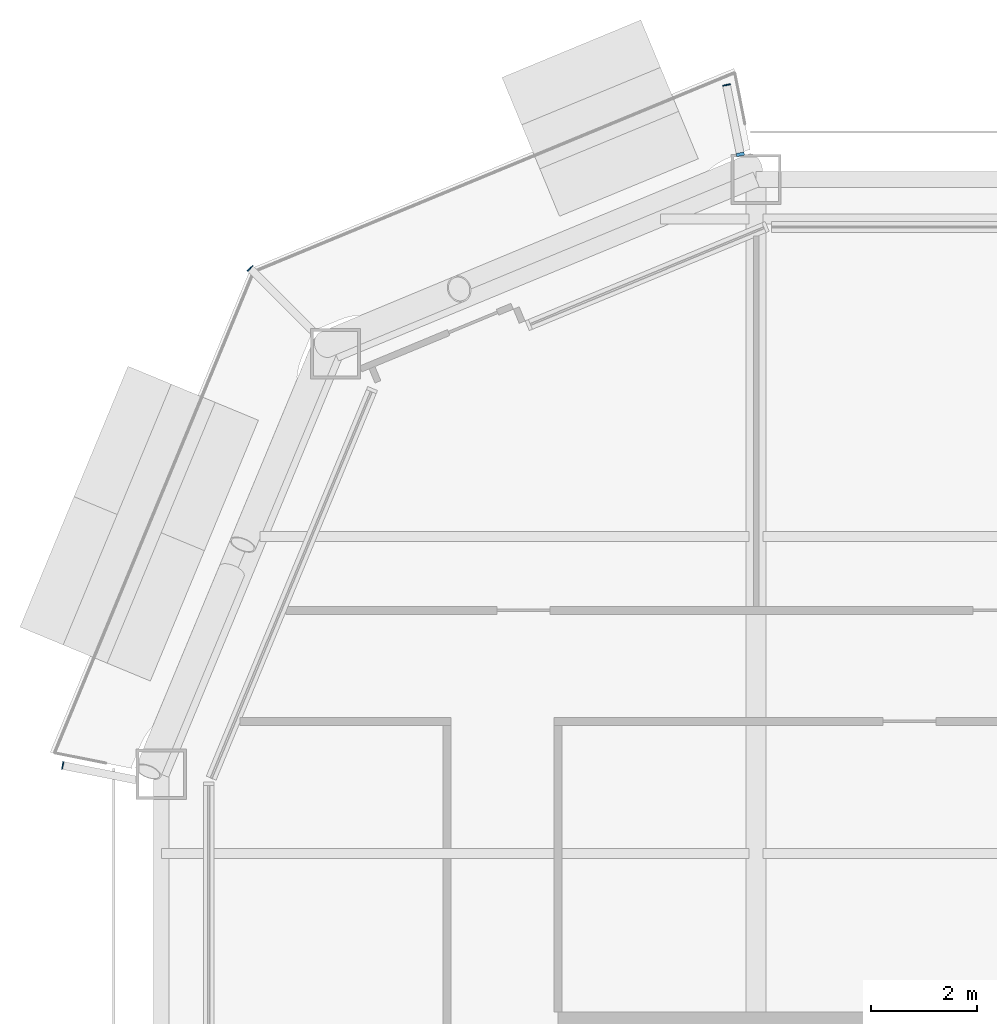
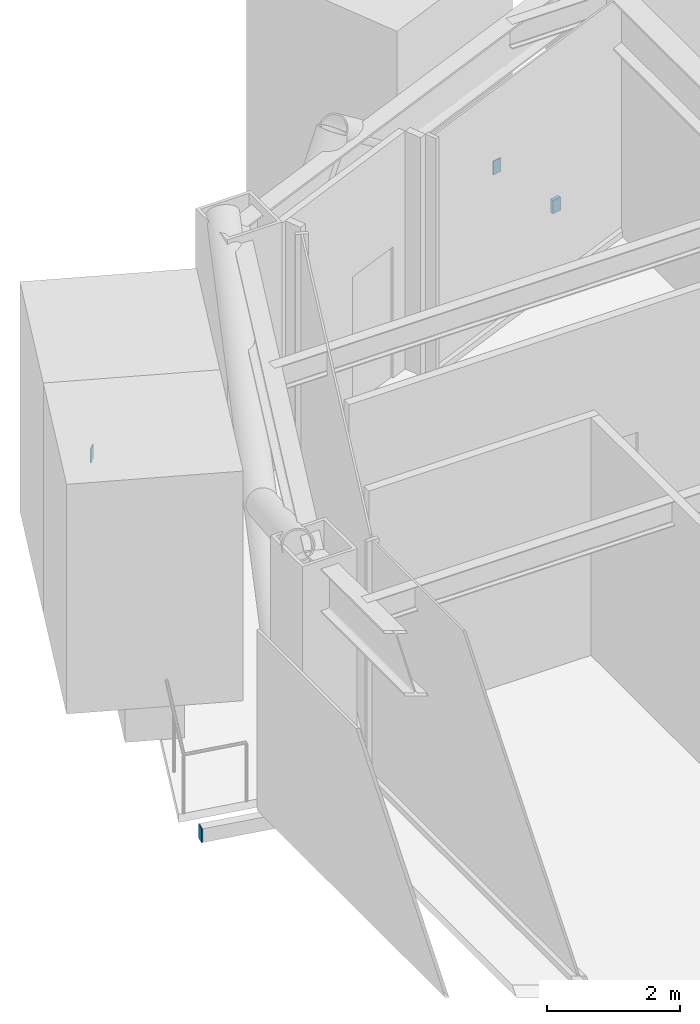
# One storey, part 16 of 23: 4 discrete accessories.
"""IFC4 building model written with IfcOpenShell, lengths in metres."""

import ifcopenshell
import ifcopenshell.guid

model = None  # the IFC model being written
_history = None  # IfcOwnerHistory: only IFC2X3 demands one
_inside = {}  # id of a spatial element -> (the spatial element, [elements in it])
_under = {}  # id of a project, library or spatial element -> (it, [spatial elements below it])
_declared = {}  # id of a project -> (the project, [libraries it declares])
_typed = {}  # id of a type object -> (the type object, [elements of that type])
_made_of = {}  # id of a material, layer set ... -> (it, [elements and type objects made of it])


def new_model(schema):
    """Start an empty IFC model of exactly this schema.

    Asked for "IFC4X3", IfcOpenShell would pick the latest addendum, in which some entities
    have other attributes; the version numbers below select the first issue.
    IFC2X3 requires an IfcOwnerHistory on every rooted entity: one is made here for all.
    """
    global model, _history
    if schema == "IFC4X3":
        model = ifcopenshell.file(schema_version=(4, 3, 0, 0))
    else:
        model = ifcopenshell.file(schema=schema)
    _inside.clear()
    _under.clear()
    _declared.clear()
    _typed.clear()
    _made_of.clear()
    _history = None
    if model.schema == "IFC2X3":
        org = make("IfcOrganization", Name="unknown")
        user = make(
            "IfcPersonAndOrganization",
            ThePerson=make("IfcPerson", FamilyName="unknown"),
            TheOrganization=org,
        )
        app = make(
            "IfcApplication",
            ApplicationDeveloper=org,
            Version="unknown",
            ApplicationFullName="unknown",
            ApplicationIdentifier="unknown",
        )
        _history = make(
            "IfcOwnerHistory",
            OwningUser=user,
            OwningApplication=app,
            ChangeAction="ADDED",
            CreationDate=0,
        )
    return model


def make(cls, **values):
    """One entity of the class cls with the attributes given. An attribute that is None is left unset."""
    return model.create_entity(
        cls, **{name: value for name, value in values.items() if value is not None}
    )


def rooted(cls, **values):
    """An entity with a GlobalId (a new one), such as an element, a storey or a relation."""
    return make(cls, GlobalId=ifcopenshell.guid.new(), OwnerHistory=_history, **values)


def si_unit(unit_type, name, prefix=None):
    """IfcSIUnit, for example si_unit("LENGTHUNIT", "METRE", prefix="MILLI")."""
    return make("IfcSIUnit", UnitType=unit_type, Prefix=prefix, Name=name)


def assignment(units):
    """IfcUnitAssignment: the units of a project."""
    return None if units is None else make("IfcUnitAssignment", Units=units)


def point(xyz):
    """IfcCartesianPoint."""
    return None if xyz is None else make("IfcCartesianPoint", Coordinates=xyz)


def direction(xyz):
    """IfcDirection."""
    return None if xyz is None else make("IfcDirection", DirectionRatios=xyz)


def frame(location, z_axis=None, x_axis=None):
    """IfcAxis2Placement3D, a coordinate frame: its origin and axes. An axis left out is left unset."""
    return make(
        "IfcAxis2Placement3D",
        Location=point(location),
        Axis=direction(z_axis),
        RefDirection=direction(x_axis),
    )


def frame_2d(location, x_axis=None):
    """IfcAxis2Placement2D, a coordinate frame in the plane: its origin and x axis."""
    return make(
        "IfcAxis2Placement2D", Location=point(location), RefDirection=direction(x_axis)
    )


def origin():
    """The frame at (0, 0, 0) with its axes left unset."""
    return frame((0.0, 0.0, 0.0))


def origin_2d():
    """The frame at (0, 0) in the plane with its x axis left unset."""
    return frame_2d((0.0, 0.0))


def place(relative_to, where):
    """IfcLocalPlacement: puts the frame where relative to a parent placement (None: the world)."""
    return make(
        "IfcLocalPlacement", PlacementRelTo=relative_to, RelativePlacement=where
    )


def context(
    kind, dimensions, precision=None, world=None, true_north=None, identifier=None
):
    """IfcGeometricRepresentationContext, for example the 3D "Model" context."""
    return make(
        "IfcGeometricRepresentationContext",
        ContextIdentifier=identifier,
        ContextType=kind,
        CoordinateSpaceDimension=dimensions,
        Precision=precision,
        WorldCoordinateSystem=world,
        TrueNorth=true_north,
    )


def subcontext(parent, identifier, kind, view, scale=None):
    """IfcGeometricRepresentationSubContext, for example "Body" below "Model"."""
    return make(
        "IfcGeometricRepresentationSubContext",
        ContextIdentifier=identifier,
        ContextType=kind,
        ParentContext=parent,
        TargetScale=scale,
        TargetView=view,
    )


def project(units=None, contexts=None):
    """IfcProject with its units and contexts."""
    return rooted(
        "IfcProject",
        Name="project",
        RepresentationContexts=contexts,
        UnitsInContext=assignment(units),
    )


def spatial(cls, under=None, at=None, **own):
    """A site, building, storey or space (cls), placed at a placement, below another one or the project."""
    s = rooted(cls, ObjectPlacement=at, **own)
    if under is not None:
        _under.setdefault(under.id(), (under, []))[1].append(s)
    return s


def profile(cls, at=None, kind="AREA", **sizes):
    """A parametric profile (cls). Its sizes go by their IFC names, for example OverallWidth=200.0."""
    return make(cls, ProfileType=kind, Position=at, **sizes)


def rectangle(**sizes):
    """IfcRectangleProfileDef."""
    return profile("IfcRectangleProfileDef", **sizes)


def extrude(swept, where, along, depth):
    """IfcExtrudedAreaSolid: the profile swept, set in the frame where, extruded along a direction by depth."""
    return make(
        "IfcExtrudedAreaSolid",
        SweptArea=swept,
        Position=where,
        ExtrudedDirection=direction(along),
        Depth=depth,
    )


def shape(context_of_items, identifier, shape_type, items):
    """IfcShapeRepresentation: the items that make up one representation, for example the "Body"."""
    return make(
        "IfcShapeRepresentation",
        ContextOfItems=context_of_items,
        RepresentationIdentifier=identifier,
        RepresentationType=shape_type,
        Items=items,
    )


def material(Name=None, Category=None):
    """IfcMaterial."""
    return make("IfcMaterial", Name=Name, Category=Category)


def layer(
    of_material, thickness, ventilated=None, Name=None, Category=None, Priority=None
):
    """IfcMaterialLayer: one layer of a wall or slab, of a material (None: an air gap)."""
    return make(
        "IfcMaterialLayer",
        Material=of_material,
        LayerThickness=thickness,
        IsVentilated=ventilated,
        Name=Name,
        Category=Category,
        Priority=Priority,
    )


def layer_set(layers, Name=None):
    """IfcMaterialLayerSet."""
    return make("IfcMaterialLayerSet", MaterialLayers=layers, LayerSetName=Name)


def made_of(thing, what):
    """Note that an element or type object is made of a material, layer set ...; save() writes the relation."""
    if what is not None:
        _made_of.setdefault(what.id(), (what, []))[1].append(thing)
    return thing


def type_object(cls, material=None, **own):
    """A type object (cls), such as IfcWallType, which elements share."""
    return made_of(rooted(cls, **own), material)


def element(
    cls,
    number,
    at=None,
    inside=None,
    cuts=None,
    type_object=None,
    material=None,
    context=None,
    identifier="Body",
    shape_type=None,
    held_by="IfcProductDefinitionShape",
    body=None,
    shapes=None,
    **own,
):
    """One element of the class cls, such as IfcWall. Its Tag is "e" and its number.

    at: its placement. inside: the storey or other place that contains it. cuts: it is an
    opening in that element (IfcRelVoidsElement). A single representation is given by context,
    identifier, shape_type and body (its items); several are given by shapes. held_by: the class
    of the entity that holds the representations. save() writes the other relations.
    """
    e = rooted(cls, Tag="e%d" % number, ObjectPlacement=at, **own)
    if body is not None:
        shapes = [shape(context, identifier, shape_type, body)]
    if shapes is not None:
        e.Representation = make(held_by, Representations=shapes)
    if inside is not None:
        _inside.setdefault(inside.id(), (inside, []))[1].append(e)
    if cuts is not None:
        rooted(
            "IfcRelVoidsElement", RelatingBuildingElement=cuts, RelatedOpeningElement=e
        )
    if type_object is not None:
        _typed.setdefault(type_object.id(), (type_object, []))[1].append(e)
    return made_of(e, material)


def aggregate(whole, parts):
    """IfcRelAggregates: a whole, such as a stair, and the parts it consists of."""
    return rooted("IfcRelAggregates", RelatingObject=whole, RelatedObjects=parts)


def save(model, path):
    """Write the relations noted so far, then the file.

    IfcRelAggregates (storeys below a building ...), IfcRelContainedInSpatialStructure (elements
    in a storey), IfcRelDefinesByType, IfcRelAssociatesMaterial and IfcRelDeclares: one each for
    every whole, place, type object, material and project.
    """
    for whole, parts in _under.values():
        aggregate(whole, parts)
    for where, things in _inside.values():
        rooted(
            "IfcRelContainedInSpatialStructure",
            RelatedElements=things,
            RelatingStructure=where,
        )
    for kind, things in _typed.values():
        rooted("IfcRelDefinesByType", RelatedObjects=things, RelatingType=kind)
    for what, things in _made_of.values():
        rooted("IfcRelAssociatesMaterial", RelatedObjects=things, RelatingMaterial=what)
    for by, libraries in _declared.values():
        rooted("IfcRelDeclares", RelatingContext=by, RelatedDefinitions=libraries)
    model.write(path)


model = new_model("IFC4")

# Units and contexts
model_context = context("Model", 3, precision=1e-05, world=origin(), true_north=direction((0.0, 1.0)))
body_context = subcontext(model_context, "Body", "Model", "MODEL_VIEW")
ifc_project = project(units=[si_unit("LENGTHUNIT", "METRE"), si_unit("AREAUNIT", "SQUARE_METRE"), si_unit("VOLUMEUNIT", "CUBIC_METRE"), si_unit("PLANEANGLEUNIT", "RADIAN"), si_unit("MASSUNIT", "GRAM", prefix="KILO")], contexts=[model_context])

# Site, building, storey
site_placement = place(None, origin())
site = spatial("IfcSite", under=ifc_project, at=site_placement, CompositionType="ELEMENT")
building_placement = place(site_placement, origin())
building = spatial("IfcBuilding", under=site, at=building_placement, Name="Siwar Civic Tower", CompositionType="ELEMENT")
storey_placement = place(building_placement, frame((0.0, 0.0, 136.199951171875)))
storey = spatial("IfcBuildingStorey", under=building, at=storey_placement, Name="L29", CompositionType="ELEMENT", Elevation=136.199951171875)

# Discrete accessories
ifc_material_1 = material(Name="Stainless steel 316", Category="steel")
discrete_accessory_type_1 = type_object("IfcDiscreteAccessoryType", Name="ENV-BRACKET", PredefinedType="BRACKET", material=ifc_material_1)
discrete_accessory_placement = place(storey_placement, frame((-18.29833984375, 29.72509765625, -0.39990234375), z_axis=(0.0, 0.0, 1.0), x_axis=(-0.195090322016, 0.980785280403, 0.0)))
element("IfcDiscreteAccessory", 1, at=discrete_accessory_placement, inside=storey, type_object=discrete_accessory_type_1, Name="Bracket balcony cantilever beam NW 1", PredefinedType="BRACKET", context=body_context, shape_type="SweptSolid", body=[
    extrude(rectangle(XDim=0.06005859375, YDim=0.14990234375, at=origin_2d()), origin(), (0.0, 0.0, 1.0), 0.25),
])
ifc_material_2 = material(Name="Steel S355", Category="steel")
ifc_layer = layer(ifc_material_2, 0.02001953125)
ifc_layer_set = layer_set([ifc_layer], Name="Steel S355")
discrete_accessory_type_2 = type_object("IfcDiscreteAccessoryType", Name="STR-END-CAP", PredefinedType="USERDEFINED", material=ifc_layer_set)
for number, where, z_axis, x_axis, name in (
    (2, (-18.559326171875, 31.036376953125, -0.39990234375), (0.0, 0.0, 1.0), (-0.195090322204, 0.980785280366, 0.0), "End cap plate Balcony cantilever beam NW 1"),
    (3, (-27.5693359375, 27.5693359375, -0.39990234375), (0.0, 0.0, 1.0), (-0.707106781187, 0.707106781187, 0.0), "End cap plate Balcony cantilever beam NW 2"),
    (4, (-31.114501953125, 18.1669921875, -0.39990234375), (0.0, 0.0, 1.0), (-0.980785280424, 0.195090321913, 0.0), "End cap plate Balcony cantilever beam NW 3"),
):
    element("IfcDiscreteAccessory", number, at=place(storey_placement, frame(where, z_axis=z_axis, x_axis=x_axis)), inside=storey, type_object=discrete_accessory_type_2, Name=name, ObjectType="END CAP PLATE", PredefinedType="USERDEFINED", context=body_context, shape_type="SweptSolid", body=[
        extrude(rectangle(XDim=0.02001953125, YDim=0.14990234375, at=origin_2d()), origin(), (0.0, 0.0, 1.0), 0.25),
    ])

save(model, "model.ifc")
